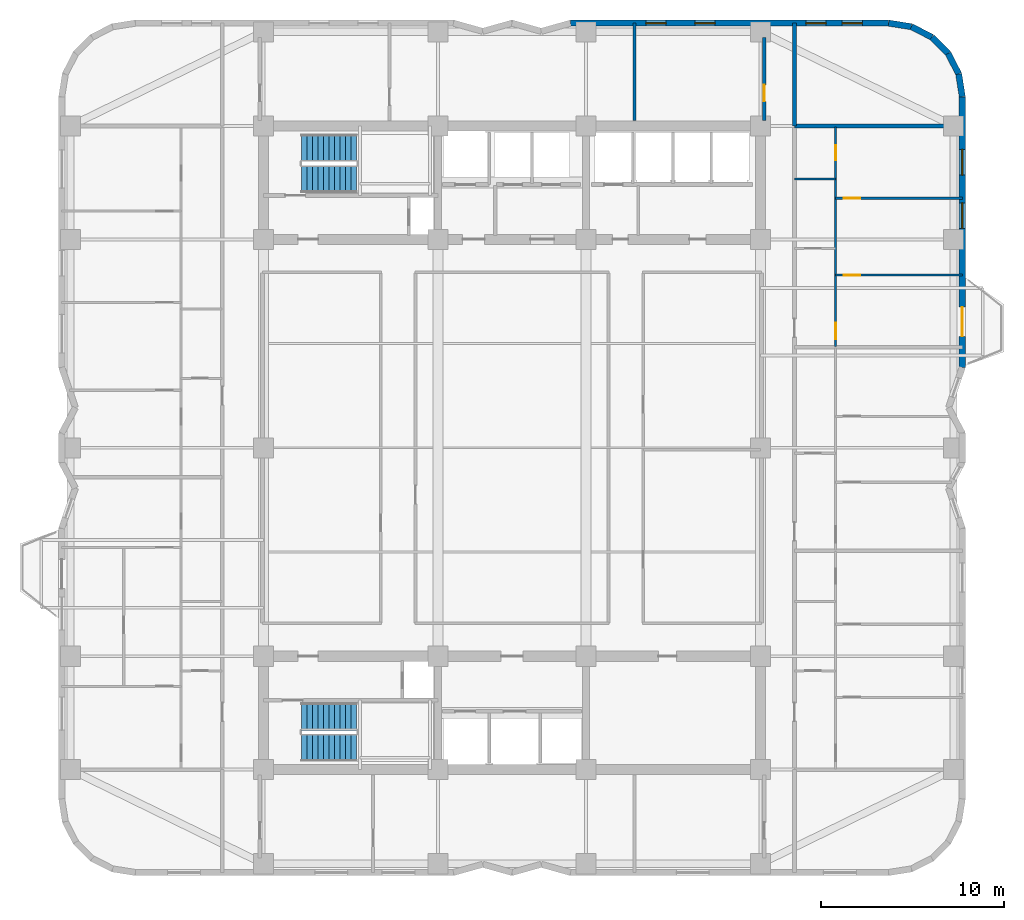
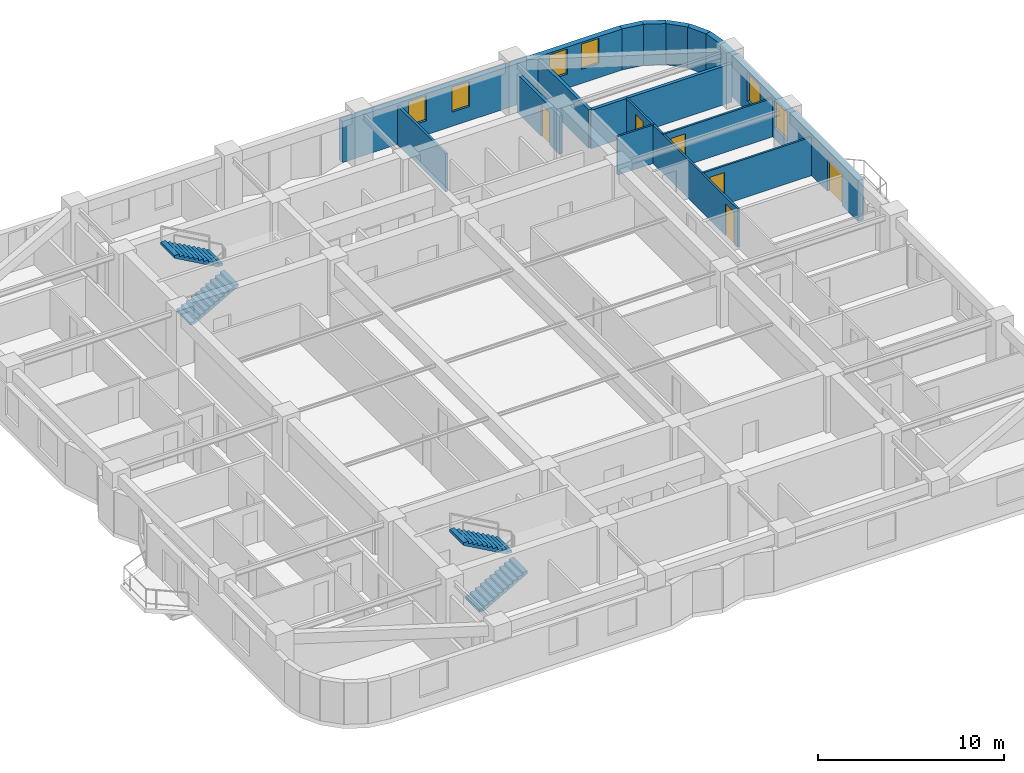
# One storey, part 7 of 9: 15 walls, 6 doors, 6 windows, 4 stair flights, 12 openings, 2 elements without a shape of their own.
"""IFC4 building model written with IfcOpenShell, lengths in metres."""

from ifc_helpers import new_model, si_unit, direction, frame, frame_2d, origin, place, context, subcontext, project, spatial, polyline, rectangle, outline, extrude, material, layer, layer_set, type_object, element, fill, aggregate, save


model = new_model("IFC4")

# Units and contexts
model_context = context("Model", 3, precision=1e-05, world=origin(), true_north=direction((0.0, 1.0)))
body_context = subcontext(model_context, "Body", "Model", "MODEL_VIEW")
ifc_project = project(units=[si_unit("LENGTHUNIT", "METRE"), si_unit("AREAUNIT", "SQUARE_METRE"), si_unit("VOLUMEUNIT", "CUBIC_METRE"), si_unit("PLANEANGLEUNIT", "RADIAN"), si_unit("MASSUNIT", "GRAM", prefix="KILO")], contexts=[model_context])

# Site, building, storey
site_placement = place(None, origin())
site = spatial("IfcSite", under=ifc_project, at=site_placement, CompositionType="ELEMENT")
building_placement = place(site_placement, origin())
building = spatial("IfcBuilding", under=site, at=building_placement, Name="Svetorya Sky Lyceum", CompositionType="ELEMENT")
storey_placement = place(building_placement, frame((0.0, 0.0, 121.60009765625)))
storey = spatial("IfcBuildingStorey", under=building, at=storey_placement, Name="L30", CompositionType="ELEMENT", Elevation=121.60009765625)

# Wall, openings, door, windows
ifc_material_1 = material(Name="Putilovo limestone rainscreen on autoclaved cellular masonry", Category="masonry")
ifc_layer_1 = layer(ifc_material_1, 0.340087890625)
ifc_layer_set_1 = layer_set([ifc_layer_1], Name="Putilovo limestone rainscreen on autoclaved cellular masonry")
wall_type_1 = type_object("IfcWallType", Name="WL-EXT-340", PredefinedType="SOLIDWALL", material=ifc_layer_set_1)
wall_1_placement = place(storey_placement, frame((63.830078125, 32.60009765625, 0.0), z_axis=(0.0, 0.0, 1.0), x_axis=(0.0, 1.0, 0.0)))
wall_1 = element("IfcWall", 1, at=wall_1_placement, inside=storey, type_object=wall_type_1, Name="L30 Limestone Exterior Wall 23M", PredefinedType="SOLIDWALL", context=body_context, shape_type="SweptSolid", body=[
    extrude(rectangle(XDim=14.7998046875, YDim=0.340087890625, at=frame_2d((7.39990234375, 0.0))), origin(), (0.0, 0.0, 1.0), 2.699951171875),
])
opening_1_placement = place(wall_1_placement, frame((1.699951171875, 0.0, 0.0)))
opening_1 = element("IfcOpeningElement", 2, at=opening_1_placement, cuts=wall_1, Name="Opening D-BL1", PredefinedType="OPENING", context=body_context, shape_type="SweptSolid", body=[
    extrude(rectangle(XDim=1.60009765625, YDim=2.10009765625, at=frame_2d((0.800048828125, 1.050048828125))), frame((0.0, 0.179931640625, 0.0), z_axis=(0.0, -1.0, 0.0), x_axis=(1.0, 0.0, 0.0)), (0.0, 0.0, 1.0), 0.360107421875),
])
opening_2_placement = place(wall_1_placement, frame((7.60009765625, 0.0, 0.68994140625)))
opening_2 = element("IfcOpeningElement", 3, at=opening_2_placement, cuts=wall_1, Name="Opening W-R2", PredefinedType="OPENING", context=body_context, shape_type="SweptSolid", body=[
    extrude(rectangle(XDim=1.39990234375, YDim=1.85009765625, at=frame_2d((0.699951171875, 0.925048828125))), frame((0.0, 0.179931640625, 0.0), z_axis=(0.0, -1.0, 0.0), x_axis=(1.0, 0.0, 0.0)), (0.0, 0.0, 1.0), 0.360107421875),
])
opening_3_placement = place(wall_1_placement, frame((10.52001953125, 0.0, 0.68994140625)))
opening_3 = element("IfcOpeningElement", 4, at=opening_3_placement, cuts=wall_1, Name="Opening W-R2", PredefinedType="OPENING", context=body_context, shape_type="SweptSolid", body=[
    extrude(rectangle(XDim=1.39990234375, YDim=1.85009765625, at=frame_2d((0.699951171875, 0.925048828125))), frame((0.0, 0.179931640625, 0.0), z_axis=(0.0, -1.0, 0.0), x_axis=(1.0, 0.0, 0.0)), (0.0, 0.0, 1.0), 0.360107421875),
])
ifc_material_2 = material(Name="Insulated glazed aluminium balcony door", Category="aluminium")
door_type_1 = type_object("IfcDoorType", Name="DR-BAL-1600", OperationType="DOUBLE_DOOR_SINGLE_SWING", PredefinedType="DOOR", material=ifc_material_2)
door_1_placement = place(opening_1_placement, origin())
door_1 = element("IfcDoor", 5, at=door_1_placement, inside=storey, type_object=door_type_1, Name="L30 Balcony BAL-E1 Door", OperationType="DOUBLE_DOOR_SINGLE_SWING", OverallHeight=2.10009765625, OverallWidth=1.60009765625, PredefinedType="DOOR", context=body_context, shape_type="SweptSolid", body=[
    extrude(rectangle(XDim=1.60009765625, YDim=2.10009765625, at=frame_2d((0.800048828125, 1.050048828125))), frame((0.0, 0.02490234375, 0.0), z_axis=(0.0, -1.0, 0.0), x_axis=(1.0, 0.0, 0.0)), (0.0, 0.0, 1.0), 0.050048828125),
])
fill(opening_1, door_1)
ifc_material_3 = material(Name="Thermally broken aluminium frame with triple low-E glazing", Category="aluminium")
window_type_1 = type_object("IfcWindowType", Name="WN-RES-140", PartitioningType="SINGLE_PANEL", PredefinedType="WINDOW", material=ifc_material_3)
window_1_placement = place(opening_2_placement, origin())
window_1 = element("IfcWindow", 6, at=window_1_placement, inside=storey, type_object=window_type_1, Name="L30 Facade Window W-R2.23M.1", OverallHeight=1.85009765625, OverallWidth=1.39990234375, PartitioningType="SINGLE_PANEL", PredefinedType="WINDOW", context=body_context, shape_type="SweptSolid", body=[
    extrude(rectangle(XDim=1.39990234375, YDim=1.85009765625, at=frame_2d((0.699951171875, 0.925048828125))), frame((0.0, 0.030029296875, 0.0), z_axis=(0.0, -1.0, 0.0), x_axis=(1.0, 0.0, 0.0)), (0.0, 0.0, 1.0), 0.06005859375),
])
fill(opening_2, window_1)
window_2_placement = place(opening_3_placement, origin())
window_2 = element("IfcWindow", 7, at=window_2_placement, inside=storey, type_object=window_type_1, Name="L30 Facade Window W-R2.23M.2", OverallHeight=1.85009765625, OverallWidth=1.39990234375, PartitioningType="SINGLE_PANEL", PredefinedType="WINDOW", context=body_context, shape_type="SweptSolid", body=[
    extrude(rectangle(XDim=1.39990234375, YDim=1.85009765625, at=frame_2d((0.699951171875, 0.925048828125))), frame((0.0, 0.030029296875, 0.0), z_axis=(0.0, -1.0, 0.0), x_axis=(1.0, 0.0, 0.0)), (0.0, 0.0, 1.0), 0.06005859375),
])
fill(opening_3, window_2)

# Walls
for number, where, z_axis, x_axis, name in (
    (8, (63.830078125, 47.39990234375, 0.0), (0.0, 0.0, 1.0), (-0.15644975923, 0.987685918112, 0.0), "L30 Limestone Exterior Wall 24M"),
    (9, (63.6328125, 48.645263671875, 0.0), (0.0, 0.0, 1.0), (-0.454015689056, 0.890993689142, 0.0), "L30 Limestone Exterior Wall 25M"),
    (10, (63.060302734375, 49.768798828125, 0.0), (0.0, 0.0, 1.0), (-0.707106781187, 0.707106781187, 0.0), "L30 Limestone Exterior Wall 26M"),
):
    element("IfcWall", number, at=place(storey_placement, frame(where, z_axis=z_axis, x_axis=x_axis)), inside=storey, type_object=wall_type_1, Name=name, PredefinedType="SOLIDWALL", context=body_context, shape_type="SweptSolid", body=[
        extrude(rectangle(XDim=1.260986328125, YDim=0.340087890625, at=frame_2d((0.63037109375, 0.0))), origin(), (0.0, 0.0, 1.0), 2.699951171875),
    ])
for number, where, z_axis, x_axis, name in (
    (11, (62.168701171875, 50.660400390625, 0.0), (0.0, 0.0, 1.0), (-0.890953769915, 0.454094020963, 0.0), "L30 Limestone Exterior Wall 27M"),
    (12, (61.04541015625, 51.23291015625, 0.0), (0.0, 0.0, 1.0), (-0.98771582066, 0.156260864002, 0.0), "L30 Limestone Exterior Wall 28M"),
):
    element("IfcWall", number, at=place(storey_placement, frame(where, z_axis=z_axis, x_axis=x_axis)), inside=storey, type_object=wall_type_1, Name=name, PredefinedType="SOLIDWALL", context=body_context, shape_type="SweptSolid", body=[
        extrude(rectangle(XDim=1.2607421875, YDim=0.340087890625, at=frame_2d((0.63037109375, 0.0))), origin(), (0.0, 0.0, 1.0), 2.699951171875),
    ])

# Wall, openings, windows
wall_2_placement = place(storey_placement, frame((59.800048828125, 51.429931640625, 0.0), z_axis=(0.0, 0.0, 1.0), x_axis=(-1.0, 0.0, 0.0)))
wall_2 = element("IfcWall", 13, at=wall_2_placement, inside=storey, type_object=wall_type_1, Name="L30 Limestone Exterior Wall 29M", PredefinedType="SOLIDWALL", context=body_context, shape_type="SweptSolid", body=[
    extrude(rectangle(XDim=17.400146484375, YDim=0.340087890625, at=frame_2d((8.7001953125, 0.0))), origin(), (0.0, 0.0, 1.0), 2.699951171875),
])
opening_4_placement = place(wall_2_placement, frame((1.441650390625, 0.0, 0.929931640625)))
opening_4 = element("IfcOpeningElement", 14, at=opening_4_placement, cuts=wall_2, Name="Opening W-R3", PredefinedType="OPENING", context=body_context, shape_type="SweptSolid", body=[
    extrude(rectangle(XDim=1.10009765625, YDim=1.64990234375, at=frame_2d((0.550048828125, 0.824951171875))), frame((0.0, 0.179931640625, 0.0), z_axis=(0.0, -1.0, 0.0), x_axis=(1.0, 0.0, 0.0)), (0.0, 0.0, 1.0), 0.360107421875),
])
opening_5_placement = place(wall_2_placement, frame((3.425048828125, 0.0, 0.929931640625)))
opening_5 = element("IfcOpeningElement", 15, at=opening_5_placement, cuts=wall_2, Name="Opening W-R3", PredefinedType="OPENING", context=body_context, shape_type="SweptSolid", body=[
    extrude(rectangle(XDim=1.10009765625, YDim=1.64990234375, at=frame_2d((0.550048828125, 0.824951171875))), frame((0.0, 0.179931640625, 0.0), z_axis=(0.0, -1.0, 0.0), x_axis=(1.0, 0.0, 0.0)), (0.0, 0.0, 1.0), 0.360107421875),
])
opening_6_placement = place(wall_2_placement, frame((9.49169921875, 0.0, 0.929931640625)))
opening_6 = element("IfcOpeningElement", 16, at=opening_6_placement, cuts=wall_2, Name="Opening W-R3", PredefinedType="OPENING", context=body_context, shape_type="SweptSolid", body=[
    extrude(rectangle(XDim=1.10009765625, YDim=1.64990234375, at=frame_2d((0.550048828125, 0.824951171875))), frame((0.0, 0.179931640625, 0.0), z_axis=(0.0, -1.0, 0.0), x_axis=(1.0, 0.0, 0.0)), (0.0, 0.0, 1.0), 0.360107421875),
])
opening_7_placement = place(wall_2_placement, frame((12.175048828125, 0.0, 0.929931640625)))
opening_7 = element("IfcOpeningElement", 17, at=opening_7_placement, cuts=wall_2, Name="Opening W-R3", PredefinedType="OPENING", context=body_context, shape_type="SweptSolid", body=[
    extrude(rectangle(XDim=1.10009765625, YDim=1.64990234375, at=frame_2d((0.550048828125, 0.824951171875))), frame((0.0, 0.179931640625, 0.0), z_axis=(0.0, -1.0, 0.0), x_axis=(1.0, 0.0, 0.0)), (0.0, 0.0, 1.0), 0.360107421875),
])
window_type_2 = type_object("IfcWindowType", Name="WN-RES-110", PartitioningType="SINGLE_PANEL", PredefinedType="WINDOW", material=ifc_material_3)
window_3_placement = place(opening_4_placement, origin())
window_3 = element("IfcWindow", 18, at=window_3_placement, inside=storey, type_object=window_type_2, Name="L30 Facade Window W-R3.29M.1", OverallHeight=1.64990234375, OverallWidth=1.10009765625, PartitioningType="SINGLE_PANEL", PredefinedType="WINDOW", context=body_context, shape_type="SweptSolid", body=[
    extrude(rectangle(XDim=1.10009765625, YDim=1.64990234375, at=frame_2d((0.550048828125, 0.824951171875))), frame((0.0, 0.030029296875, 0.0), z_axis=(0.0, -1.0, 0.0), x_axis=(1.0, 0.0, 0.0)), (0.0, 0.0, 1.0), 0.06005859375),
])
fill(opening_4, window_3)
window_4_placement = place(opening_5_placement, origin())
window_4 = element("IfcWindow", 19, at=window_4_placement, inside=storey, type_object=window_type_2, Name="L30 Facade Window W-R3.29M.2", OverallHeight=1.64990234375, OverallWidth=1.10009765625, PartitioningType="SINGLE_PANEL", PredefinedType="WINDOW", context=body_context, shape_type="SweptSolid", body=[
    extrude(rectangle(XDim=1.10009765625, YDim=1.64990234375, at=frame_2d((0.550048828125, 0.824951171875))), frame((0.0, 0.030029296875, 0.0), z_axis=(0.0, -1.0, 0.0), x_axis=(1.0, 0.0, 0.0)), (0.0, 0.0, 1.0), 0.06005859375),
])
fill(opening_5, window_4)
window_5_placement = place(opening_6_placement, origin())
window_5 = element("IfcWindow", 20, at=window_5_placement, inside=storey, type_object=window_type_2, Name="L30 Facade Window W-R3.29M.3", OverallHeight=1.64990234375, OverallWidth=1.10009765625, PartitioningType="SINGLE_PANEL", PredefinedType="WINDOW", context=body_context, shape_type="SweptSolid", body=[
    extrude(rectangle(XDim=1.10009765625, YDim=1.64990234375, at=frame_2d((0.550048828125, 0.824951171875))), frame((0.0, 0.030029296875, 0.0), z_axis=(0.0, -1.0, 0.0), x_axis=(1.0, 0.0, 0.0)), (0.0, 0.0, 1.0), 0.06005859375),
])
fill(opening_6, window_5)
window_6_placement = place(opening_7_placement, origin())
window_6 = element("IfcWindow", 21, at=window_6_placement, inside=storey, type_object=window_type_2, Name="L30 Facade Window W-R3.29M.4", OverallHeight=1.64990234375, OverallWidth=1.10009765625, PartitioningType="SINGLE_PANEL", PredefinedType="WINDOW", context=body_context, shape_type="SweptSolid", body=[
    extrude(rectangle(XDim=1.10009765625, YDim=1.64990234375, at=frame_2d((0.550048828125, 0.824951171875))), frame((0.0, 0.030029296875, 0.0), z_axis=(0.0, -1.0, 0.0), x_axis=(1.0, 0.0, 0.0)), (0.0, 0.0, 1.0), 0.06005859375),
])
fill(opening_7, window_6)

# Wall
ifc_material_4 = material(Name="Twin-stud galvanized framing with double fireboard", Category="gypsum")
ifc_layer_2 = layer(ifc_material_4, 0.1201171875)
ifc_layer_set_2 = layer_set([ifc_layer_2], Name="Twin-stud galvanized framing with double fireboard")
wall_type_2 = type_object("IfcWallType", Name="WL-PART-120", PredefinedType="PARTITIONING", material=ifc_layer_set_2)
wall_3_placement = place(storey_placement, frame((54.64990234375, 42.89990234375, 0.0), z_axis=(0.0, 0.0, 1.0), x_axis=(1.0, 0.0, 0.0)))
element("IfcWall", 22, at=wall_3_placement, inside=storey, type_object=wall_type_2, Name="L30 Interior Partition E3-WH2", PredefinedType="PARTITIONING", context=body_context, shape_type="SweptSolid", body=[
    extrude(rectangle(XDim=2.25, YDim=0.1201171875, at=frame_2d((1.125, 0.0))), origin(), (0.0, 0.0, 1.0), 2.52978515625),
])

# Wall, opening, door
wall_4_placement = place(storey_placement, frame((56.89990234375, 37.64990234375, 0.0), z_axis=(0.0, 0.0, 1.0), x_axis=(1.0, 0.0, 0.0)))
wall_4 = element("IfcWall", 23, at=wall_4_placement, inside=storey, type_object=wall_type_2, Name="L30 Interior Partition E3-WL1", PredefinedType="PARTITIONING", context=body_context, shape_type="SweptSolid", body=[
    extrude(rectangle(XDim=6.93017578125, YDim=0.1201171875, at=frame_2d((3.465087890625, 0.0))), origin(), (0.0, 0.0, 1.0), 2.52978515625),
])
opening_8_placement = place(wall_4_placement, frame((0.449951171875, 0.0, 0.0)))
opening_8 = element("IfcOpeningElement", 24, at=opening_8_placement, cuts=wall_4, Name="Opening D-RM1", PredefinedType="OPENING", context=body_context, shape_type="SweptSolid", body=[
    extrude(rectangle(XDim=0.89990234375, YDim=2.10009765625, at=frame_2d((0.449951171875, 1.050048828125))), frame((0.0, 0.070068359375, 0.0), z_axis=(0.0, -1.0, 0.0), x_axis=(1.0, 0.0, 0.0)), (0.0, 0.0, 1.0), 0.14013671875),
])
ifc_material_5 = material(Name="Lacquered birch veneer internal door")
door_type_2 = type_object("IfcDoorType", Name="DR-INT-900", OperationType="SINGLE_SWING_LEFT", PredefinedType="DOOR", material=ifc_material_5)
door_2_placement = place(opening_8_placement, origin())
door_2 = element("IfcDoor", 25, at=door_2_placement, inside=storey, type_object=door_type_2, Name="Apartment E3 Master Bedroom Door", OperationType="SINGLE_SWING_RIGHT", OverallHeight=2.10009765625, OverallWidth=0.89990234375, PredefinedType="DOOR", context=body_context, shape_type="SweptSolid", body=[
    extrude(rectangle(XDim=0.89990234375, YDim=2.10009765625, at=frame_2d((0.449951171875, 1.050048828125))), frame((0.0, 0.02490234375, 0.0), z_axis=(0.0, -1.0, 0.0), x_axis=(1.0, 0.0, 0.0)), (0.0, 0.0, 1.0), 0.050048828125),
])
fill(opening_8, door_2)

wall_5_placement = place(storey_placement, frame((56.89990234375, 41.85009765625, 0.0), z_axis=(0.0, 0.0, 1.0), x_axis=(1.0, 0.0, 0.0)))
wall_5 = element("IfcWall", 26, at=wall_5_placement, inside=storey, type_object=wall_type_2, Name="L30 Interior Partition E3-WL2", PredefinedType="PARTITIONING", context=body_context, shape_type="SweptSolid", body=[
    extrude(rectangle(XDim=6.93017578125, YDim=0.1201171875, at=frame_2d((3.465087890625, 0.0))), origin(), (0.0, 0.0, 1.0), 2.52978515625),
])
opening_9_placement = place(wall_5_placement, frame((0.449951171875, 0.0, 0.0)))
opening_9 = element("IfcOpeningElement", 27, at=opening_9_placement, cuts=wall_5, Name="Opening D-RM1", PredefinedType="OPENING", context=body_context, shape_type="SweptSolid", body=[
    extrude(rectangle(XDim=0.89990234375, YDim=2.10009765625, at=frame_2d((0.449951171875, 1.050048828125))), frame((0.0, 0.070068359375, 0.0), z_axis=(0.0, -1.0, 0.0), x_axis=(1.0, 0.0, 0.0)), (0.0, 0.0, 1.0), 0.14013671875),
])
door_3_placement = place(opening_9_placement, origin())
door_3 = element("IfcDoor", 28, at=door_3_placement, inside=storey, type_object=door_type_2, Name="Apartment E3 Bedroom 2 Door", OperationType="SINGLE_SWING_LEFT", OverallHeight=2.10009765625, OverallWidth=0.89990234375, PredefinedType="DOOR", context=body_context, shape_type="SweptSolid", body=[
    extrude(rectangle(XDim=0.89990234375, YDim=2.10009765625, at=frame_2d((0.449951171875, 1.050048828125))), frame((0.0, 0.02490234375, 0.0), z_axis=(0.0, -1.0, 0.0), x_axis=(1.0, 0.0, 0.0)), (0.0, 0.0, 1.0), 0.050048828125),
])
fill(opening_9, door_3)

# Wall, openings, doors
wall_6_placement = place(storey_placement, frame((56.89990234375, 33.739990234375, 0.0), z_axis=(0.0, 0.0, 1.0), x_axis=(0.0, 1.0, 0.0)))
wall_6 = element("IfcWall", 29, at=wall_6_placement, inside=storey, type_object=wall_type_2, Name="L30 Interior Partition E3-WV", PredefinedType="PARTITIONING", context=body_context, shape_type="SweptSolid", body=[
    extrude(rectangle(XDim=12.02001953125, YDim=0.1201171875, at=frame_2d((6.010009765625, 0.0))), origin(), (0.0, 0.0, 1.0), 2.52978515625),
])
opening_10_placement = place(wall_6_placement, frame((0.409912109375, 0.0, 0.0)))
opening_10 = element("IfcOpeningElement", 30, at=opening_10_placement, cuts=wall_6, Name="Opening D-RM1", PredefinedType="OPENING", context=body_context, shape_type="SweptSolid", body=[
    extrude(rectangle(XDim=0.89990234375, YDim=2.10009765625, at=frame_2d((0.449951171875, 1.050048828125))), frame((0.0, 0.070068359375, 0.0), z_axis=(0.0, -1.0, 0.0), x_axis=(1.0, 0.0, 0.0)), (0.0, 0.0, 1.0), 0.14013671875),
])
opening_11_placement = place(wall_6_placement, frame((10.18505859375, 0.0, 0.0)))
opening_11 = element("IfcOpeningElement", 31, at=opening_11_placement, cuts=wall_6, Name="Opening D-BT2", PredefinedType="OPENING", context=body_context, shape_type="SweptSolid", body=[
    extrude(rectangle(XDim=0.820068359375, YDim=2.080078125, at=frame_2d((0.41015625, 1.0400390625))), frame((0.0, 0.070068359375, 0.0), z_axis=(0.0, -1.0, 0.0), x_axis=(1.0, 0.0, 0.0)), (0.0, 0.0, 1.0), 0.14013671875),
])
door_4_placement = place(opening_10_placement, origin())
door_4 = element("IfcDoor", 32, at=door_4_placement, inside=storey, type_object=door_type_2, Name="Apartment E3 Living Door", OperationType="SINGLE_SWING_LEFT", OverallHeight=2.10009765625, OverallWidth=0.89990234375, PredefinedType="DOOR", context=body_context, shape_type="SweptSolid", body=[
    extrude(rectangle(XDim=0.89990234375, YDim=2.10009765625, at=frame_2d((0.449951171875, 1.050048828125))), frame((0.0, 0.02490234375, 0.0), z_axis=(0.0, -1.0, 0.0), x_axis=(1.0, 0.0, 0.0)), (0.0, 0.0, 1.0), 0.050048828125),
])
fill(opening_10, door_4)
ifc_material_6 = material(Name="Compact moisture-resistant laminate closet door")
door_type_3 = type_object("IfcDoorType", Name="DR-WET-820", OperationType="SINGLE_SWING_LEFT", PredefinedType="DOOR", material=ifc_material_6)
door_5_placement = place(opening_11_placement, origin())
door_5 = element("IfcDoor", 33, at=door_5_placement, inside=storey, type_object=door_type_3, Name="Apartment E3 Study Door", OperationType="SINGLE_SWING_RIGHT", OverallHeight=2.080078125, OverallWidth=0.820068359375, PredefinedType="DOOR", context=body_context, shape_type="SweptSolid", body=[
    extrude(rectangle(XDim=0.820068359375, YDim=2.080078125, at=frame_2d((0.41015625, 1.0400390625))), frame((0.0, 0.02490234375, 0.0), z_axis=(0.0, -1.0, 0.0), x_axis=(1.0, 0.0, 0.0)), (0.0, 0.0, 1.0), 0.050048828125),
])
fill(opening_11, door_5)

# Walls
ifc_material_7 = material(Name="Autoclaved cellular masonry blockwork with acoustic render", Category="masonry")
ifc_layer_3 = layer(ifc_material_7, 0.14990234375)
ifc_layer_set_3 = layer_set([ifc_layer_3], Name="Autoclaved cellular masonry blockwork with acoustic render")
wall_type_3 = type_object("IfcWallType", Name="WL-PART-150", PredefinedType="PARTITIONING", material=ifc_layer_set_3)
wall_7_placement = place(storey_placement, frame((45.89990234375, 46.10009765625, 0.0), z_axis=(0.0, 0.0, 1.0), x_axis=(0.0, 1.0, 0.0)))
element("IfcWall", 34, at=wall_7_placement, inside=storey, type_object=wall_type_3, Name="L30 Interior Partition N-D2", PredefinedType="PARTITIONING", context=body_context, shape_type="SweptSolid", body=[
    extrude(rectangle(XDim=5.329833984375, YDim=0.14990234375, at=frame_2d((2.6650390625, 0.0))), origin(), (0.0, 0.0, 1.0), 2.52978515625),
])
ifc_material_8 = material(Name="Autoclaved cellular masonry blockwork with gypsum plaster", Category="masonry")
ifc_layer_4 = layer(ifc_material_8, 0.199951171875)
ifc_layer_set_4 = layer_set([ifc_layer_4], Name="Autoclaved cellular masonry blockwork with gypsum plaster")
wall_type_4 = type_object("IfcWallType", Name="WL-PART-200", PredefinedType="PARTITIONING", material=ifc_layer_set_4)
wall_8_placement = place(storey_placement, frame((54.64990234375, 45.800048828125, 0.0), z_axis=(0.0, 0.0, 1.0), x_axis=(1.0, 0.0, 0.0)))
element("IfcWall", 35, at=wall_8_placement, inside=storey, type_object=wall_type_4, Name="L30 Interior Partition E-CAP-N", PredefinedType="PARTITIONING", context=body_context, shape_type="SweptSolid", body=[
    extrude(rectangle(XDim=8.760009765625, YDim=0.199951171875, at=frame_2d((4.3798828125, 0.0))), origin(), (0.0, 0.0, 1.0), 2.52978515625),
])
wall_9_placement = place(storey_placement, frame((54.64990234375, 45.800048828125, 0.0), z_axis=(0.0, 0.0, 1.0), x_axis=(0.0, 1.0, 0.0)))
element("IfcWall", 36, at=wall_9_placement, inside=storey, type_object=wall_type_4, Name="L30 Interior Partition EC-NE-END", PredefinedType="PARTITIONING", context=body_context, shape_type="SweptSolid", body=[
    extrude(rectangle(XDim=5.6298828125, YDim=0.199951171875, at=frame_2d((2.81494140625, 0.0))), origin(), (0.0, 0.0, 1.0), 2.52978515625),
])

# Wall, opening, door
wall_10_placement = place(storey_placement, frame((53.0, 46.10009765625, 0.0), z_axis=(0.0, 0.0, 1.0), x_axis=(0.0, 1.0, 0.0)))
wall_10 = element("IfcWall", 37, at=wall_10_placement, inside=storey, type_object=wall_type_4, Name="L30 Interior Partition N-EE", PredefinedType="PARTITIONING", context=body_context, shape_type="SweptSolid", body=[
    extrude(rectangle(XDim=4.52978515625, YDim=0.199951171875, at=frame_2d((2.264892578125, 0.0))), origin(), (0.0, 0.0, 1.0), 2.52978515625),
])
opening_12_placement = place(wall_10_placement, frame((1.050048828125, 0.0, 0.0)))
opening_12 = element("IfcOpeningElement", 38, at=opening_12_placement, cuts=wall_10, Name="Opening D-RM1", PredefinedType="OPENING", context=body_context, shape_type="SweptSolid", body=[
    extrude(rectangle(XDim=0.89990234375, YDim=2.10009765625, at=frame_2d((0.449951171875, 1.050048828125))), frame((0.0, 0.10986328125, 0.0), z_axis=(0.0, -1.0, 0.0), x_axis=(1.0, 0.0, 0.0)), (0.0, 0.0, 1.0), 0.219970703125),
])
door_6_placement = place(opening_12_placement, origin())
door_6 = element("IfcDoor", 39, at=door_6_placement, inside=storey, type_object=door_type_2, Name="L30 North Meeting Door", OperationType="SINGLE_SWING_LEFT", OverallHeight=2.10009765625, OverallWidth=0.89990234375, PredefinedType="DOOR", context=body_context, shape_type="SweptSolid", body=[
    extrude(rectangle(XDim=0.89990234375, YDim=2.10009765625, at=frame_2d((0.449951171875, 1.050048828125))), frame((0.0, 0.02490234375, 0.0), z_axis=(0.0, -1.0, 0.0), x_axis=(1.0, 0.0, 0.0)), (0.0, 0.0, 1.0), 0.050048828125),
])
fill(opening_12, door_6)

# Stair, stair flights
ifc_material_9 = material(Name="Concrete C40/50", Category="concrete")
stair_type_1 = type_object("IfcStairType", Name="STR-ST-N", PredefinedType="HALF_TURN_STAIR", material=ifc_material_9)
stair_1_placement = place(storey_placement, origin())
stair_1 = element("IfcStair", 40, at=stair_1_placement, inside=storey, type_object=stair_type_1, Name="L30 North Core Smoke-Free Exit Stair N3", PredefinedType="HALF_TURN_STAIR")
stair_flight_type_1 = type_object("IfcStairFlightType", Name="SFL-ST-N", PredefinedType="STRAIGHT", material=ifc_material_9)
stair_flight_1_placement = place(storey_placement, frame((27.699951171875, 42.89990234375, 0.0), z_axis=(0.0, 0.0, 1.0), x_axis=(1.0, 0.0, 0.0)))
stair_flight_1 = element("IfcStairFlight", 41, at=stair_flight_1_placement, type_object=stair_flight_type_1, Name="ST-N flight 1", NumberOfRisers=11, NumberOfTreads=10, PredefinedType="STRAIGHT", RiserHeight=0.168181818, TreadLength=0.3, context=body_context, shape_type="SweptSolid", body=[
    extrude(outline(polyline([(0.0, 0.0), (0.0, 0.168212890625), (0.300048828125, 0.168212890625), (0.300048828125, 0.33642578125), (0.60009765625, 0.33642578125), (0.60009765625, 0.504638671875), (0.89990234375, 0.504638671875), (0.89990234375, 0.672607421875), (1.199951171875, 0.672607421875), (1.199951171875, 0.8408203125), (1.5, 0.8408203125), (1.5, 1.009033203125), (1.800048828125, 1.009033203125), (1.800048828125, 1.17724609375), (2.10009765625, 1.17724609375), (2.10009765625, 1.345458984375), (2.39990234375, 1.345458984375), (2.39990234375, 1.513671875), (2.699951171875, 1.513671875), (2.699951171875, 1.681884765625), (3.0, 1.681884765625), (3.0, 1.85009765625), (3.0, 1.510009765625), (0.306640625, 0.0), (0.0, 0.0)])), frame((0.0, 0.75, 0.0), z_axis=(0.0, -1.0, 0.0), x_axis=(1.0, 0.0, 0.0)), (0.0, 0.0, 1.0), 1.5),
])
stair_flight_2_placement = place(storey_placement, frame((30.699951171875, 44.60009765625, 1.849853515625), z_axis=(0.0, 0.0, 1.0), x_axis=(-1.0, 0.0, 0.0)))
stair_flight_2 = element("IfcStairFlight", 42, at=stair_flight_2_placement, type_object=stair_flight_type_1, Name="ST-N flight 2", NumberOfRisers=11, NumberOfTreads=10, PredefinedType="STRAIGHT", RiserHeight=0.168181818, TreadLength=0.3, context=body_context, shape_type="SweptSolid", body=[
    extrude(outline(polyline([(0.0, 0.0), (0.0, 0.168212890625), (0.300048828125, 0.168212890625), (0.300048828125, 0.33642578125), (0.60009765625, 0.33642578125), (0.60009765625, 0.504638671875), (0.89990234375, 0.504638671875), (0.89990234375, 0.672607421875), (1.199951171875, 0.672607421875), (1.199951171875, 0.8408203125), (1.5, 0.8408203125), (1.5, 1.009033203125), (1.800048828125, 1.009033203125), (1.800048828125, 1.17724609375), (2.10009765625, 1.17724609375), (2.10009765625, 1.345458984375), (2.39990234375, 1.345458984375), (2.39990234375, 1.513671875), (2.699951171875, 1.513671875), (2.699951171875, 1.681884765625), (3.0, 1.681884765625), (3.0, 1.85009765625), (3.0, 1.510009765625), (0.306640625, 0.0), (0.0, 0.0)])), frame((0.0, 0.75, 0.0), z_axis=(0.0, -1.0, 0.0), x_axis=(1.0, 0.0, 0.0)), (0.0, 0.0, 1.0), 1.5),
])
aggregate(stair_1, [stair_flight_1, stair_flight_2])

stair_type_2 = type_object("IfcStairType", Name="STR-ST-S", PredefinedType="HALF_TURN_STAIR", material=ifc_material_9)
stair_2_placement = place(storey_placement, origin())
stair_2 = element("IfcStair", 43, at=stair_2_placement, inside=storey, type_object=stair_type_2, Name="L30 South Core Smoke-Free Exit Stair N2", PredefinedType="HALF_TURN_STAIR")
stair_flight_type_2 = type_object("IfcStairFlightType", Name="SFL-ST-S", PredefinedType="STRAIGHT", material=ifc_material_9)
stair_flight_3_placement = place(storey_placement, frame((27.699951171875, 11.800048828125, 0.0), z_axis=(0.0, 0.0, 1.0), x_axis=(1.0, 0.0, 0.0)))
stair_flight_3 = element("IfcStairFlight", 44, at=stair_flight_3_placement, type_object=stair_flight_type_2, Name="ST-S flight 1", NumberOfRisers=11, NumberOfTreads=10, PredefinedType="STRAIGHT", RiserHeight=0.168181818, TreadLength=0.3, context=body_context, shape_type="SweptSolid", body=[
    extrude(outline(polyline([(0.0, 0.0), (0.0, 0.168212890625), (0.300048828125, 0.168212890625), (0.300048828125, 0.33642578125), (0.60009765625, 0.33642578125), (0.60009765625, 0.504638671875), (0.89990234375, 0.504638671875), (0.89990234375, 0.672607421875), (1.199951171875, 0.672607421875), (1.199951171875, 0.8408203125), (1.5, 0.8408203125), (1.5, 1.009033203125), (1.800048828125, 1.009033203125), (1.800048828125, 1.17724609375), (2.10009765625, 1.17724609375), (2.10009765625, 1.345458984375), (2.39990234375, 1.345458984375), (2.39990234375, 1.513671875), (2.699951171875, 1.513671875), (2.699951171875, 1.681884765625), (3.0, 1.681884765625), (3.0, 1.85009765625), (3.0, 1.510009765625), (0.306640625, 0.0), (0.0, 0.0)])), frame((0.0, 0.75, 0.0), z_axis=(0.0, -1.0, 0.0), x_axis=(1.0, 0.0, 0.0)), (0.0, 0.0, 1.0), 1.5),
])
stair_flight_4_placement = place(storey_placement, frame((30.699951171875, 13.5, 1.849853515625), z_axis=(0.0, 0.0, 1.0), x_axis=(-1.0, 0.0, 0.0)))
stair_flight_4 = element("IfcStairFlight", 45, at=stair_flight_4_placement, type_object=stair_flight_type_2, Name="ST-S flight 2", NumberOfRisers=11, NumberOfTreads=10, PredefinedType="STRAIGHT", RiserHeight=0.168181818, TreadLength=0.3, context=body_context, shape_type="SweptSolid", body=[
    extrude(outline(polyline([(0.0, 0.0), (0.0, 0.168212890625), (0.300048828125, 0.168212890625), (0.300048828125, 0.33642578125), (0.60009765625, 0.33642578125), (0.60009765625, 0.504638671875), (0.89990234375, 0.504638671875), (0.89990234375, 0.672607421875), (1.199951171875, 0.672607421875), (1.199951171875, 0.8408203125), (1.5, 0.8408203125), (1.5, 1.009033203125), (1.800048828125, 1.009033203125), (1.800048828125, 1.17724609375), (2.10009765625, 1.17724609375), (2.10009765625, 1.345458984375), (2.39990234375, 1.345458984375), (2.39990234375, 1.513671875), (2.699951171875, 1.513671875), (2.699951171875, 1.681884765625), (3.0, 1.681884765625), (3.0, 1.85009765625), (3.0, 1.510009765625), (0.306640625, 0.0), (0.0, 0.0)])), frame((0.0, 0.75, 0.0), z_axis=(0.0, -1.0, 0.0), x_axis=(1.0, 0.0, 0.0)), (0.0, 0.0, 1.0), 1.5),
])
aggregate(stair_2, [stair_flight_3, stair_flight_4])

save(model, "model.ifc")
